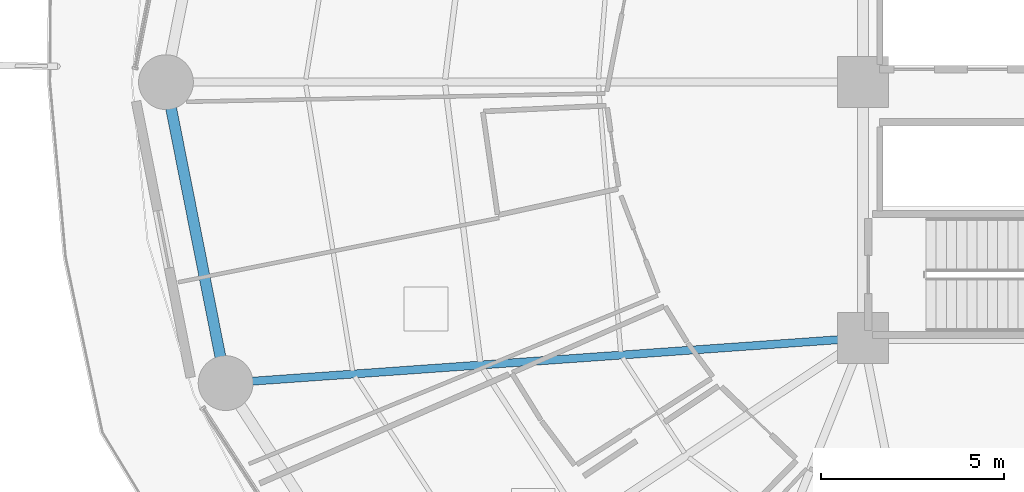
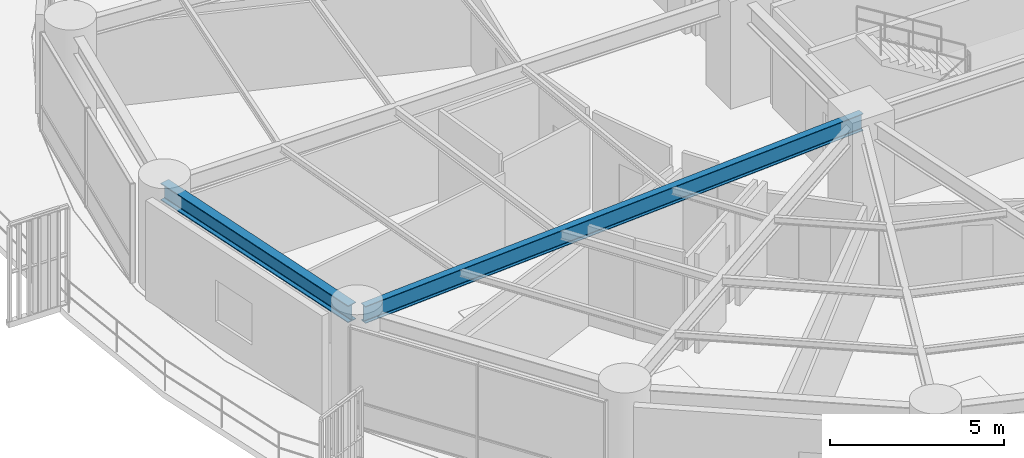
# One storey, part 5 of 34: 2 beams.
"""IFC4 building model written with IfcOpenShell, lengths in metres."""

from ifc_helpers import new_model, si_unit, direction, frame, origin, origin_2d, place, context, subcontext, project, spatial, i_section, extrude, material, material_profile, profile_set, type_object, element, save


model = new_model("IFC4")

# Units and contexts
model_context = context("Model", 3, precision=1e-05, world=origin(), true_north=direction((0.0, 1.0)))
body_context = subcontext(model_context, "Body", "Model", "MODEL_VIEW")
ifc_project = project(units=[si_unit("LENGTHUNIT", "METRE"), si_unit("AREAUNIT", "SQUARE_METRE"), si_unit("VOLUMEUNIT", "CUBIC_METRE"), si_unit("PLANEANGLEUNIT", "RADIAN"), si_unit("MASSUNIT", "GRAM", prefix="KILO")], contexts=[model_context])

# Site, building, storey
site_placement = place(None, origin())
site = spatial("IfcSite", under=ifc_project, at=site_placement, CompositionType="ELEMENT")
building_placement = place(site_placement, origin())
building = spatial("IfcBuilding", under=site, at=building_placement, Name="Kelanora Arch Commons", CompositionType="ELEMENT")
storey_placement = place(building_placement, frame((0.0, 0.0, 33.75)))
storey = spatial("IfcBuildingStorey", under=building, at=storey_placement, Name="L08", CompositionType="ELEMENT", Elevation=33.75)

# Beams
ifc_material = material(Name="Steel S355", Category="steel")
ifc_material_profile_1 = material_profile(ifc_material, i_section(OverallWidth=0.219970703125, OverallDepth=0.60009765625, WebThickness=0.011962890625, FlangeThickness=0.01904296875, FilletRadius=0.02392578125, at=origin_2d()), Name="IPE600")
ifc_profile_set_1 = profile_set([ifc_material_profile_1], Name="Steel S355")
beam_type_1 = type_object("IfcBeamType", Name="BM-RAD-Z1", PredefinedType="BEAM", material=ifc_profile_set_1)
beam_1_placement = place(storey_placement, frame((66.0, 51.0, 3.18994140625), z_axis=(-0.997500932078, -0.070653312055, 0.0), x_axis=(0.070653312055, -0.997500932078, 0.0)))
element("IfcBeam", 1, at=beam_1_placement, inside=storey, type_object=beam_type_1, Name="Radial Floor Girder BR-20 L08", PredefinedType="BEAM", context=body_context, shape_type="SweptSolid", body=[
    extrude(i_section(OverallWidth=0.219970703125, OverallDepth=0.60009765625, WebThickness=0.011962890625, FlangeThickness=0.01904296875, FilletRadius=0.02392578125, at=origin_2d()), origin(), (0.0, 0.0, 1.0), 17.2705078125),
])
ifc_material_profile_2 = material_profile(ifc_material, i_section(OverallWidth=0.300048828125, OverallDepth=0.60009765625, WebThickness=0.015380859375, FlangeThickness=0.030029296875, FilletRadius=0.027099609375, at=origin_2d()), Name="HEB600")
ifc_profile_set_2 = profile_set([ifc_material_profile_2], Name="Steel S355")
beam_type_2 = type_object("IfcBeamType", Name="BM-SPN-Z1", PredefinedType="SPANDREL", material=ifc_profile_set_2)
beam_2_placement = place(storey_placement, frame((46.919921875, 58.0, 3.18994140625), z_axis=(0.194508025468, -0.980900926714, 0.0), x_axis=(0.980900926714, 0.194508025468, 0.0)))
element("IfcBeam", 2, at=beam_2_placement, inside=storey, type_object=beam_type_2, Name="Perimeter Spandrel Beam BS-18 L08", PredefinedType="SPANDREL", context=body_context, shape_type="SweptSolid", body=[
    extrude(i_section(OverallWidth=0.300048828125, OverallDepth=0.60009765625, WebThickness=0.015380859375, FlangeThickness=0.030029296875, FilletRadius=0.027099609375, at=origin_2d()), origin(), (0.0, 0.0, 1.0), 8.17626953125),
])

save(model, "model.ifc")
